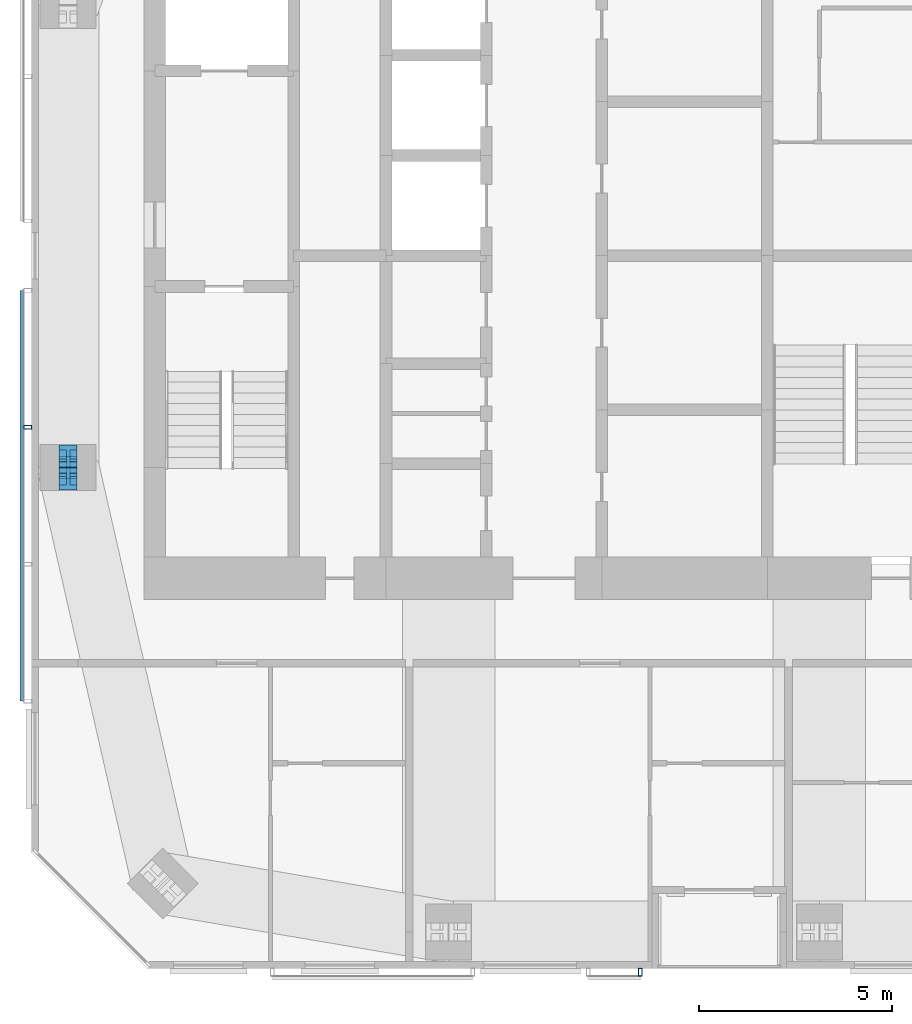
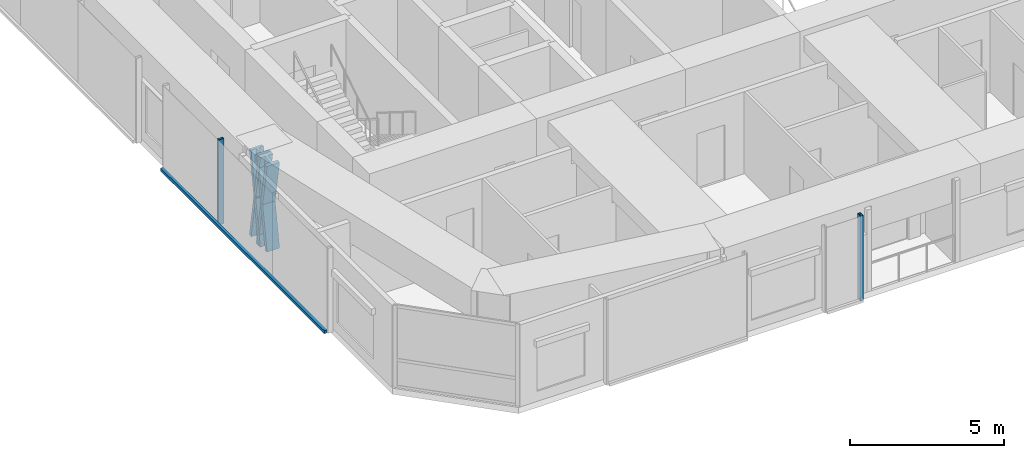
# One storey, part 4 of 20: 7 members, 2 elements without a shape of their own.
"""IFC4 building model written with IfcOpenShell, lengths in metres."""

import ifcopenshell
import ifcopenshell.guid

model = None  # the IFC model being written
_history = None  # IfcOwnerHistory: only IFC2X3 demands one
_inside = {}  # id of a spatial element -> (the spatial element, [elements in it])
_under = {}  # id of a project, library or spatial element -> (it, [spatial elements below it])
_declared = {}  # id of a project -> (the project, [libraries it declares])
_typed = {}  # id of a type object -> (the type object, [elements of that type])
_made_of = {}  # id of a material, layer set ... -> (it, [elements and type objects made of it])


def new_model(schema):
    """Start an empty IFC model of exactly this schema.

    Asked for "IFC4X3", IfcOpenShell would pick the latest addendum, in which some entities
    have other attributes; the version numbers below select the first issue.
    IFC2X3 requires an IfcOwnerHistory on every rooted entity: one is made here for all.
    """
    global model, _history
    if schema == "IFC4X3":
        model = ifcopenshell.file(schema_version=(4, 3, 0, 0))
    else:
        model = ifcopenshell.file(schema=schema)
    _inside.clear()
    _under.clear()
    _declared.clear()
    _typed.clear()
    _made_of.clear()
    _history = None
    if model.schema == "IFC2X3":
        org = make("IfcOrganization", Name="unknown")
        user = make(
            "IfcPersonAndOrganization",
            ThePerson=make("IfcPerson", FamilyName="unknown"),
            TheOrganization=org,
        )
        app = make(
            "IfcApplication",
            ApplicationDeveloper=org,
            Version="unknown",
            ApplicationFullName="unknown",
            ApplicationIdentifier="unknown",
        )
        _history = make(
            "IfcOwnerHistory",
            OwningUser=user,
            OwningApplication=app,
            ChangeAction="ADDED",
            CreationDate=0,
        )
    return model


def make(cls, **values):
    """One entity of the class cls with the attributes given. An attribute that is None is left unset."""
    return model.create_entity(
        cls, **{name: value for name, value in values.items() if value is not None}
    )


def rooted(cls, **values):
    """An entity with a GlobalId (a new one), such as an element, a storey or a relation."""
    return make(cls, GlobalId=ifcopenshell.guid.new(), OwnerHistory=_history, **values)


def si_unit(unit_type, name, prefix=None):
    """IfcSIUnit, for example si_unit("LENGTHUNIT", "METRE", prefix="MILLI")."""
    return make("IfcSIUnit", UnitType=unit_type, Prefix=prefix, Name=name)


def assignment(units):
    """IfcUnitAssignment: the units of a project."""
    return None if units is None else make("IfcUnitAssignment", Units=units)


def point(xyz):
    """IfcCartesianPoint."""
    return None if xyz is None else make("IfcCartesianPoint", Coordinates=xyz)


def direction(xyz):
    """IfcDirection."""
    return None if xyz is None else make("IfcDirection", DirectionRatios=xyz)


def frame(location, z_axis=None, x_axis=None):
    """IfcAxis2Placement3D, a coordinate frame: its origin and axes. An axis left out is left unset."""
    return make(
        "IfcAxis2Placement3D",
        Location=point(location),
        Axis=direction(z_axis),
        RefDirection=direction(x_axis),
    )


def frame_2d(location, x_axis=None):
    """IfcAxis2Placement2D, a coordinate frame in the plane: its origin and x axis."""
    return make(
        "IfcAxis2Placement2D", Location=point(location), RefDirection=direction(x_axis)
    )


def origin():
    """The frame at (0, 0, 0) with its axes left unset."""
    return frame((0.0, 0.0, 0.0))


def origin_2d():
    """The frame at (0, 0) in the plane with its x axis left unset."""
    return frame_2d((0.0, 0.0))


def place(relative_to, where):
    """IfcLocalPlacement: puts the frame where relative to a parent placement (None: the world)."""
    return make(
        "IfcLocalPlacement", PlacementRelTo=relative_to, RelativePlacement=where
    )


def context(
    kind, dimensions, precision=None, world=None, true_north=None, identifier=None
):
    """IfcGeometricRepresentationContext, for example the 3D "Model" context."""
    return make(
        "IfcGeometricRepresentationContext",
        ContextIdentifier=identifier,
        ContextType=kind,
        CoordinateSpaceDimension=dimensions,
        Precision=precision,
        WorldCoordinateSystem=world,
        TrueNorth=true_north,
    )


def subcontext(parent, identifier, kind, view, scale=None):
    """IfcGeometricRepresentationSubContext, for example "Body" below "Model"."""
    return make(
        "IfcGeometricRepresentationSubContext",
        ContextIdentifier=identifier,
        ContextType=kind,
        ParentContext=parent,
        TargetScale=scale,
        TargetView=view,
    )


def project(units=None, contexts=None):
    """IfcProject with its units and contexts."""
    return rooted(
        "IfcProject",
        Name="project",
        RepresentationContexts=contexts,
        UnitsInContext=assignment(units),
    )


def spatial(cls, under=None, at=None, **own):
    """A site, building, storey or space (cls), placed at a placement, below another one or the project."""
    s = rooted(cls, ObjectPlacement=at, **own)
    if under is not None:
        _under.setdefault(under.id(), (under, []))[1].append(s)
    return s


def profile(cls, at=None, kind="AREA", **sizes):
    """A parametric profile (cls). Its sizes go by their IFC names, for example OverallWidth=200.0."""
    return make(cls, ProfileType=kind, Position=at, **sizes)


def rectangle(**sizes):
    """IfcRectangleProfileDef."""
    return profile("IfcRectangleProfileDef", **sizes)


def hollow_rectangle(**sizes):
    """IfcRectangleHollowProfileDef."""
    return profile("IfcRectangleHollowProfileDef", **sizes)


def i_section(**sizes):
    """IfcIShapeProfileDef."""
    return profile("IfcIShapeProfileDef", **sizes)


def extrude(swept, where, along, depth):
    """IfcExtrudedAreaSolid: the profile swept, set in the frame where, extruded along a direction by depth."""
    return make(
        "IfcExtrudedAreaSolid",
        SweptArea=swept,
        Position=where,
        ExtrudedDirection=direction(along),
        Depth=depth,
    )


def shape(context_of_items, identifier, shape_type, items):
    """IfcShapeRepresentation: the items that make up one representation, for example the "Body"."""
    return make(
        "IfcShapeRepresentation",
        ContextOfItems=context_of_items,
        RepresentationIdentifier=identifier,
        RepresentationType=shape_type,
        Items=items,
    )


def material(Name=None, Category=None):
    """IfcMaterial."""
    return make("IfcMaterial", Name=Name, Category=Category)


def material_profile(
    of_material, cross_section, Name=None, Category=None, Priority=None
):
    """IfcMaterialProfile: a cross section and its material."""
    return make(
        "IfcMaterialProfile",
        Name=Name,
        Material=of_material,
        Profile=cross_section,
        Priority=Priority,
        Category=Category,
    )


def profile_set(profiles, Name=None, composite=None):
    """IfcMaterialProfileSet."""
    return make(
        "IfcMaterialProfileSet",
        Name=Name,
        MaterialProfiles=profiles,
        CompositeProfile=composite,
    )


def made_of(thing, what):
    """Note that an element or type object is made of a material, layer set ...; save() writes the relation."""
    if what is not None:
        _made_of.setdefault(what.id(), (what, []))[1].append(thing)
    return thing


def type_object(cls, material=None, **own):
    """A type object (cls), such as IfcWallType, which elements share."""
    return made_of(rooted(cls, **own), material)


def element(
    cls,
    number,
    at=None,
    inside=None,
    cuts=None,
    type_object=None,
    material=None,
    context=None,
    identifier="Body",
    shape_type=None,
    held_by="IfcProductDefinitionShape",
    body=None,
    shapes=None,
    **own,
):
    """One element of the class cls, such as IfcWall. Its Tag is "e" and its number.

    at: its placement. inside: the storey or other place that contains it. cuts: it is an
    opening in that element (IfcRelVoidsElement). A single representation is given by context,
    identifier, shape_type and body (its items); several are given by shapes. held_by: the class
    of the entity that holds the representations. save() writes the other relations.
    """
    e = rooted(cls, Tag="e%d" % number, ObjectPlacement=at, **own)
    if body is not None:
        shapes = [shape(context, identifier, shape_type, body)]
    if shapes is not None:
        e.Representation = make(held_by, Representations=shapes)
    if inside is not None:
        _inside.setdefault(inside.id(), (inside, []))[1].append(e)
    if cuts is not None:
        rooted(
            "IfcRelVoidsElement", RelatingBuildingElement=cuts, RelatedOpeningElement=e
        )
    if type_object is not None:
        _typed.setdefault(type_object.id(), (type_object, []))[1].append(e)
    return made_of(e, material)


def aggregate(whole, parts):
    """IfcRelAggregates: a whole, such as a stair, and the parts it consists of."""
    return rooted("IfcRelAggregates", RelatingObject=whole, RelatedObjects=parts)


def save(model, path):
    """Write the relations noted so far, then the file.

    IfcRelAggregates (storeys below a building ...), IfcRelContainedInSpatialStructure (elements
    in a storey), IfcRelDefinesByType, IfcRelAssociatesMaterial and IfcRelDeclares: one each for
    every whole, place, type object, material and project.
    """
    for whole, parts in _under.values():
        aggregate(whole, parts)
    for where, things in _inside.values():
        rooted(
            "IfcRelContainedInSpatialStructure",
            RelatedElements=things,
            RelatingStructure=where,
        )
    for kind, things in _typed.values():
        rooted("IfcRelDefinesByType", RelatedObjects=things, RelatingType=kind)
    for what, things in _made_of.values():
        rooted("IfcRelAssociatesMaterial", RelatedObjects=things, RelatingMaterial=what)
    for by, libraries in _declared.values():
        rooted("IfcRelDeclares", RelatingContext=by, RelatedDefinitions=libraries)
    model.write(path)


model = new_model("IFC4")

# Units and contexts
model_context = context("Model", 3, precision=1e-05, world=origin(), true_north=direction((0.0, 1.0)))
body_context = subcontext(model_context, "Body", "Model", "MODEL_VIEW")
ifc_project = project(units=[si_unit("LENGTHUNIT", "METRE"), si_unit("AREAUNIT", "SQUARE_METRE"), si_unit("VOLUMEUNIT", "CUBIC_METRE"), si_unit("PLANEANGLEUNIT", "RADIAN"), si_unit("MASSUNIT", "GRAM", prefix="KILO")], contexts=[model_context])

# Site, building, storey
site_placement = place(None, origin())
site = spatial("IfcSite", under=ifc_project, at=site_placement, CompositionType="ELEMENT")
building_placement = place(site_placement, origin())
building = spatial("IfcBuilding", under=site, at=building_placement, Name="Jalousie Tower", CompositionType="ELEMENT")
storey_placement = place(building_placement, frame((0.0, 0.0, 242.449951171875)))
storey = spatial("IfcBuildingStorey", under=building, at=storey_placement, Name="L66", CompositionType="ELEMENT", Elevation=242.449951171875)

# Members
ifc_material_1 = material(Name="Steel ASTM A992 Grade 50", Category="steel")
ifc_material_profile_1 = material_profile(ifc_material_1, i_section(OverallWidth=0.472412109375, OverallDepth=0.5791015625, WebThickness=0.094970703125, FlangeThickness=0.1298828125, at=origin_2d()), Name="W14X808")
ifc_profile_set_1 = profile_set([ifc_material_profile_1], Name="Steel ASTM A992 Grade 50")
member_type_1 = type_object("IfcMemberType", Name="PERIMETER BRACE W14X808", PredefinedType="BRACE", material=ifc_profile_set_1)
for number, where, z_axis, x_axis, name in (
    (1, (17.75, 12.699951171875, -0.599853515625), (0.0, 0.168990530437, 0.98561767467), (-1.0, 0.0, 0.0), "Perimeter brace 14 L66 part 1"),
    (2, (17.75, 13.0, 1.150146484375), (0.0, 0.168990530437, 0.98561767467), (-1.0, 0.0, 0.0), "Perimeter brace 14 L66 part 2"),
    (3, (17.75, 13.300048828125, -0.599853515625), (0.0, -0.168990530437, 0.98561767467), (1.0, 0.0, 0.0), "Perimeter brace 14 L66 part 3"),
    (4, (17.75, 13.0, 1.150146484375), (0.0, -0.168990530437, 0.98561767467), (1.0, 0.0, 0.0), "Perimeter brace 14 L66 part 4"),
):
    element("IfcMember", number, at=place(storey_placement, frame(where, z_axis=z_axis, x_axis=x_axis)), inside=storey, type_object=member_type_1, Name=name, PredefinedType="BRACE", context=body_context, shape_type="SweptSolid", body=[
        extrude(i_section(OverallWidth=0.472412109375, OverallDepth=0.5791015625, WebThickness=0.094970703125, FlangeThickness=0.1298828125, at=origin_2d()), origin(), (0.0, 0.0, 1.0), 1.775634765625),
    ])

# Curtain wall, member
ifc_material_2 = material(Name="Perforated aluminium sheet", Category="aluminium")
curtain_wall_type = type_object("IfcCurtainWallType", Name="SOLAR SCREEN SS-2", PredefinedType="USERDEFINED", material=ifc_material_2)
curtain_wall_1_placement = place(storey_placement, origin())
curtain_wall_1 = element("IfcCurtainWall", 5, at=curtain_wall_1_placement, inside=storey, type_object=curtain_wall_type, Name="Solar screen L66", ObjectType="SOLAR SCREEN SS-2", PredefinedType="USERDEFINED")
ifc_material_3 = material(Name="Steel ASTM A500 Grade C", Category="steel")
ifc_material_profile_2 = material_profile(ifc_material_3, hollow_rectangle(XDim=0.1015625, YDim=0.203125, WallThickness=0.0078125, at=origin_2d()), Name="HSS8X4X5/16")
ifc_profile_set_2 = profile_set([ifc_material_profile_2], Name="Steel ASTM A500 Grade C")
member_type_2 = type_object("IfcMemberType", Name="SOLAR SCREEN SS-2 MULLION", PredefinedType="MULLION", material=ifc_profile_set_2)
member_1_placement = place(storey_placement, frame((32.60009765625, -0.0966796875, -0.119873046875), z_axis=(0.0, 0.0, 1.0), x_axis=(1.0, 0.0, 0.0)))
member_1 = element("IfcMember", 6, at=member_1_placement, type_object=member_type_2, Name="SS2 post 2", PredefinedType="MULLION", context=body_context, shape_type="SweptSolid", body=[
    extrude(hollow_rectangle(XDim=0.1015625, YDim=0.203125, WallThickness=0.0078125, at=origin_2d()), origin(), (0.0, 0.0, 1.0), 3.3798828125),
])
aggregate(curtain_wall_1, [member_1])

# Curtain wall, members
curtain_wall_2_placement = place(storey_placement, origin())
curtain_wall_2 = element("IfcCurtainWall", 7, at=curtain_wall_2_placement, inside=storey, type_object=curtain_wall_type, Name="Solar screen L66", ObjectType="SOLAR SCREEN SS-2", PredefinedType="USERDEFINED")
member_2_placement = place(storey_placement, frame((16.703369140625, 14.0458984375, -0.119873046875), z_axis=(0.0, 0.0, 1.0), x_axis=(0.0, -1.0, 0.0)))
member_2 = element("IfcMember", 8, at=member_2_placement, type_object=member_type_2, Name="SS2 post 2", PredefinedType="MULLION", context=body_context, shape_type="SweptSolid", body=[
    extrude(hollow_rectangle(XDim=0.1015625, YDim=0.203125, WallThickness=0.0078125, at=origin_2d()), origin(), (0.0, 0.0, 1.0), 3.3798828125),
])
ifc_material_4 = material(Name="Extruded aluminium screen rail", Category="aluminium")
ifc_material_profile_3 = material_profile(ifc_material_4, rectangle(XDim=0.1015625, YDim=0.1201171875, at=origin_2d()), Name="RAIL 102x120")
ifc_profile_set_3 = profile_set([ifc_material_profile_3], Name="Extruded aluminium screen rail")
member_type_3 = type_object("IfcMemberType", Name="SOLAR SCREEN SS-2 TRANSOM", PredefinedType="USERDEFINED", material=ifc_profile_set_3)
member_3_placement = place(storey_placement, frame((16.551025390625, 17.60009765625, -0.06005859375), z_axis=(0.0, -1.0, 0.0), x_axis=(1.0, 0.0, 0.0)))
member_3 = element("IfcMember", 9, at=member_3_placement, type_object=member_type_3, Name="SS2 rail", ObjectType="TRANSOM", PredefinedType="USERDEFINED", context=body_context, shape_type="SweptSolid", body=[
    extrude(rectangle(XDim=0.1015625, YDim=0.1201171875, at=origin_2d()), origin(), (0.0, 0.0, 1.0), 10.662109375),
])
aggregate(curtain_wall_2, [member_2, member_3])

save(model, "model.ifc")
